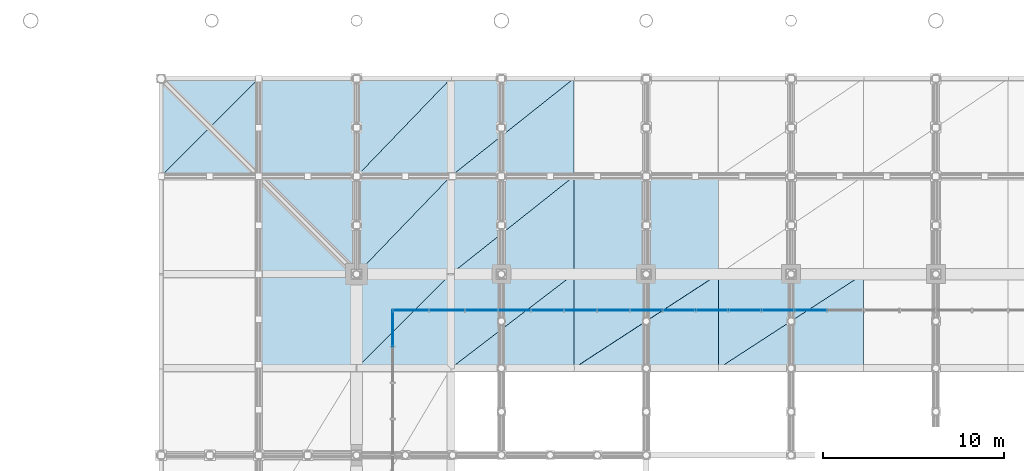
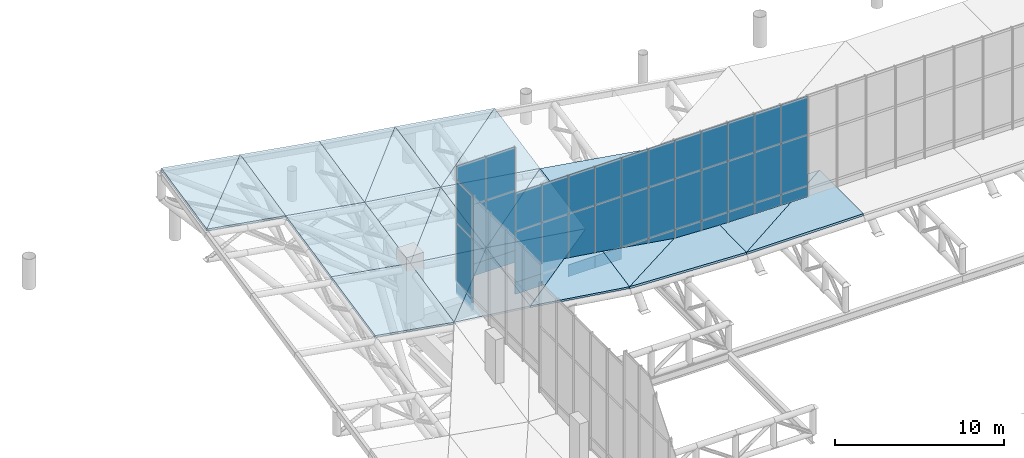
# One storey, part 106 of 137: 42 plates, 22 slabs, 5 elements without a shape of their own.
"""IFC4 building model written with IfcOpenShell, lengths in metres."""

from ifc_helpers import new_model, si_unit, direction, frame, origin, origin_2d, place, context, subcontext, project, spatial, polyline, rectangle, outline, extrude, material, layer, layer_set, type_object, element, aggregate, save


model = new_model("IFC4")

# Units and contexts
model_context = context("Model", 3, precision=1e-05, world=origin(), true_north=direction((0.0, 1.0)))
body_context = subcontext(model_context, "Body", "Model", "MODEL_VIEW")
ifc_project = project(units=[si_unit("LENGTHUNIT", "METRE"), si_unit("AREAUNIT", "SQUARE_METRE"), si_unit("VOLUMEUNIT", "CUBIC_METRE"), si_unit("PLANEANGLEUNIT", "RADIAN"), si_unit("MASSUNIT", "GRAM", prefix="KILO")], contexts=[model_context])

# Site, building, storey
site_placement = place(None, origin())
site = spatial("IfcSite", under=ifc_project, at=site_placement, CompositionType="ELEMENT")
building_placement = place(site_placement, origin())
building = spatial("IfcBuilding", under=site, at=building_placement, Name="Khorjan Park Terminus", CompositionType="ELEMENT")
storey_placement = place(building_placement, frame((0.0, 0.0, 11.4)))
storey = spatial("IfcBuildingStorey", under=building, at=storey_placement, Name="L02", CompositionType="ELEMENT", Elevation=11.4)

# Curtain wall, plates
ifc_material_1 = material(Name="Anodized Bronze Aluminium", Category="aluminium")
ifc_layer_1 = layer(ifc_material_1, 0.22)
ifc_layer_set_1 = layer_set([ifc_layer_1], Name="Anodized Bronze Aluminium")
curtain_wall_type = type_object("IfcCurtainWallType", Name="CW-CONC-CLR", PredefinedType="NOTDEFINED", material=ifc_layer_set_1)
curtain_wall_1_placement = place(storey_placement, origin())
curtain_wall_1 = element("IfcCurtainWall", 1, at=curtain_wall_1_placement, inside=storey, type_object=curtain_wall_type, Name="Unitized curtain wall CW-CL (CW-V2-N-CLR-01)", PredefinedType="NOTDEFINED")
ifc_material_2 = material(Name="Acoustic Laminated Solar Glazing", Category="glass")
ifc_layer_2 = layer(ifc_material_2, 0.036)
ifc_layer_set_2 = layer_set([ifc_layer_2], Name="Acoustic Laminated Solar Glazing")
plate_type_1 = type_object("IfcPlateType", Name="GL-VIS-36", PredefinedType="CURTAIN_PANEL", material=ifc_layer_set_2)
plate_1_placement = place(storey_placement, frame((53.0, 86.0, 3.8909), z_axis=(0.0, 0.0, 1.0), x_axis=(-1.0, 0.0, 0.0)))
plate_1 = element("IfcPlate", 2, at=plate_1_placement, type_object=plate_type_1, Name="Curtain-wall panel VP-36 (CW-V2-N-CLR-01-0-2)", PredefinedType="CURTAIN_PANEL", context=body_context, shape_type="SweptSolid", body=[
    extrude(rectangle(XDim=2.0, YDim=0.036, at=origin_2d()), origin(), (0.0, 0.0, 1.0), 4.3153),
])
plate_2_placement = place(storey_placement, frame((53.0, 86.0, 8.2062), z_axis=(0.0, 0.0, 1.0), x_axis=(-1.0, 0.0, 0.0)))
plate_2 = element("IfcPlate", 3, at=plate_2_placement, type_object=plate_type_1, Name="Curtain-wall panel VP-36 (CW-V2-N-CLR-01-0-3)", PredefinedType="CURTAIN_PANEL", context=body_context, shape_type="SweptSolid", body=[
    extrude(rectangle(XDim=2.0, YDim=0.036, at=origin_2d()), origin(), (0.0, 0.0, 1.0), 3.1758),
])
plate_3_placement = place(storey_placement, frame((51.0, 86.0, 3.8909), z_axis=(0.0, 0.0, 1.0), x_axis=(-1.0, 0.0, 0.0)))
plate_3 = element("IfcPlate", 4, at=plate_3_placement, type_object=plate_type_1, Name="Curtain-wall panel VP-36 (CW-V2-N-CLR-01-1-2)", PredefinedType="CURTAIN_PANEL", context=body_context, shape_type="SweptSolid", body=[
    extrude(rectangle(XDim=2.0, YDim=0.036, at=origin_2d()), origin(), (0.0, 0.0, 1.0), 4.3153),
])
plate_4_placement = place(storey_placement, frame((51.0, 86.0, 8.2062), z_axis=(0.0, 0.0, 1.0), x_axis=(-1.0, 0.0, 0.0)))
plate_4 = element("IfcPlate", 5, at=plate_4_placement, type_object=plate_type_1, Name="Curtain-wall panel VP-36 (CW-V2-N-CLR-01-1-3)", PredefinedType="CURTAIN_PANEL", context=body_context, shape_type="SweptSolid", body=[
    extrude(rectangle(XDim=2.0, YDim=0.036, at=origin_2d()), origin(), (0.0, 0.0, 1.0), 3.1758),
])

curtain_wall_2_placement = place(storey_placement, origin())
curtain_wall_2 = element("IfcCurtainWall", 6, at=curtain_wall_2_placement, inside=storey, type_object=curtain_wall_type, Name="Unitized curtain wall CW-CL (CW-V2-N-CLR-02)", PredefinedType="NOTDEFINED")
plate_5_placement = place(storey_placement, frame((73.0909, 86.0, 1.5663), z_axis=(0.0, 0.0, 1.0), x_axis=(-1.0, 0.0, 0.0)))
plate_5 = element("IfcPlate", 7, at=plate_5_placement, type_object=plate_type_1, Name="Curtain-wall panel VP-36 (CW-V2-N-CLR-02-0-2)", PredefinedType="CURTAIN_PANEL", context=body_context, shape_type="SweptSolid", body=[
    extrude(rectangle(XDim=1.8182, YDim=0.036, at=origin_2d()), origin(), (0.0, 0.0, 1.0), 3.6834),
])
plate_6_placement = place(storey_placement, frame((73.0909, 86.0, 5.2497), z_axis=(0.0, 0.0, 1.0), x_axis=(-1.0, 0.0, 0.0)))
plate_6 = element("IfcPlate", 8, at=plate_6_placement, type_object=plate_type_1, Name="Curtain-wall panel VP-36 (CW-V2-N-CLR-02-0-3)", PredefinedType="CURTAIN_PANEL", context=body_context, shape_type="SweptSolid", body=[
    extrude(rectangle(XDim=1.8182, YDim=0.036, at=origin_2d()), origin(), (0.0, 0.0, 1.0), 2.7886),
])
plate_7_placement = place(storey_placement, frame((71.2727, 86.0, 1.5663), z_axis=(0.0, 0.0, 1.0), x_axis=(-1.0, 0.0, 0.0)))
plate_7 = element("IfcPlate", 9, at=plate_7_placement, type_object=plate_type_1, Name="Curtain-wall panel VP-36 (CW-V2-N-CLR-02-1-2)", PredefinedType="CURTAIN_PANEL", context=body_context, shape_type="SweptSolid", body=[
    extrude(rectangle(XDim=1.8182, YDim=0.036, at=origin_2d()), origin(), (0.0, 0.0, 1.0), 3.6834),
])
plate_8_placement = place(storey_placement, frame((71.2727, 86.0, 5.2497), z_axis=(0.0, 0.0, 1.0), x_axis=(-1.0, 0.0, 0.0)))
plate_8 = element("IfcPlate", 10, at=plate_8_placement, type_object=plate_type_1, Name="Curtain-wall panel VP-36 (CW-V2-N-CLR-02-1-3)", PredefinedType="CURTAIN_PANEL", context=body_context, shape_type="SweptSolid", body=[
    extrude(rectangle(XDim=1.8182, YDim=0.036, at=origin_2d()), origin(), (0.0, 0.0, 1.0), 2.7886),
])
plate_9_placement = place(storey_placement, frame((69.4546, 86.0, 1.5663), z_axis=(0.0, 0.0, 1.0), x_axis=(-1.0, 0.0, 0.0)))
plate_9 = element("IfcPlate", 11, at=plate_9_placement, type_object=plate_type_1, Name="Curtain-wall panel VP-36 (CW-V2-N-CLR-02-2-2)", PredefinedType="CURTAIN_PANEL", context=body_context, shape_type="SweptSolid", body=[
    extrude(rectangle(XDim=1.8182, YDim=0.036, at=origin_2d()), origin(), (0.0, 0.0, 1.0), 3.6834),
])
plate_10_placement = place(storey_placement, frame((69.4546, 86.0, 5.2497), z_axis=(0.0, 0.0, 1.0), x_axis=(-1.0, 0.0, 0.0)))
plate_10 = element("IfcPlate", 12, at=plate_10_placement, type_object=plate_type_1, Name="Curtain-wall panel VP-36 (CW-V2-N-CLR-02-2-3)", PredefinedType="CURTAIN_PANEL", context=body_context, shape_type="SweptSolid", body=[
    extrude(rectangle(XDim=1.8182, YDim=0.036, at=origin_2d()), origin(), (0.0, 0.0, 1.0), 2.7886),
])
plate_11_placement = place(storey_placement, frame((67.6364, 86.0, 1.5663), z_axis=(0.0, 0.0, 1.0), x_axis=(-1.0, 0.0, 0.0)))
plate_11 = element("IfcPlate", 13, at=plate_11_placement, type_object=plate_type_1, Name="Curtain-wall panel VP-36 (CW-V2-N-CLR-02-3-2)", PredefinedType="CURTAIN_PANEL", context=body_context, shape_type="SweptSolid", body=[
    extrude(rectangle(XDim=1.8182, YDim=0.036, at=origin_2d()), origin(), (0.0, 0.0, 1.0), 3.6834),
])
plate_12_placement = place(storey_placement, frame((67.6364, 86.0, 5.2497), z_axis=(0.0, 0.0, 1.0), x_axis=(-1.0, 0.0, 0.0)))
plate_12 = element("IfcPlate", 14, at=plate_12_placement, type_object=plate_type_1, Name="Curtain-wall panel VP-36 (CW-V2-N-CLR-02-3-3)", PredefinedType="CURTAIN_PANEL", context=body_context, shape_type="SweptSolid", body=[
    extrude(rectangle(XDim=1.8182, YDim=0.036, at=origin_2d()), origin(), (0.0, 0.0, 1.0), 2.7886),
])
plate_13_placement = place(storey_placement, frame((65.8182, 86.0, 1.5663), z_axis=(0.0, 0.0, 1.0), x_axis=(-1.0, 0.0, 0.0)))
plate_13 = element("IfcPlate", 15, at=plate_13_placement, type_object=plate_type_1, Name="Curtain-wall panel VP-36 (CW-V2-N-CLR-02-4-2)", PredefinedType="CURTAIN_PANEL", context=body_context, shape_type="SweptSolid", body=[
    extrude(rectangle(XDim=1.8182, YDim=0.036, at=origin_2d()), origin(), (0.0, 0.0, 1.0), 3.6834),
])
plate_14_placement = place(storey_placement, frame((65.8182, 86.0, 5.2497), z_axis=(0.0, 0.0, 1.0), x_axis=(-1.0, 0.0, 0.0)))
plate_14 = element("IfcPlate", 16, at=plate_14_placement, type_object=plate_type_1, Name="Curtain-wall panel VP-36 (CW-V2-N-CLR-02-4-3)", PredefinedType="CURTAIN_PANEL", context=body_context, shape_type="SweptSolid", body=[
    extrude(rectangle(XDim=1.8182, YDim=0.036, at=origin_2d()), origin(), (0.0, 0.0, 1.0), 2.7886),
])
plate_15_placement = place(storey_placement, frame((64.0, 86.0, 1.5663), z_axis=(0.0, 0.0, 1.0), x_axis=(-1.0, 0.0, 0.0)))
plate_15 = element("IfcPlate", 17, at=plate_15_placement, type_object=plate_type_1, Name="Curtain-wall panel VP-36 (CW-V2-N-CLR-02-5-2)", PredefinedType="CURTAIN_PANEL", context=body_context, shape_type="SweptSolid", body=[
    extrude(rectangle(XDim=1.8182, YDim=0.036, at=origin_2d()), origin(), (0.0, 0.0, 1.0), 3.6834),
])
plate_16_placement = place(storey_placement, frame((64.0, 86.0, 5.2497), z_axis=(0.0, 0.0, 1.0), x_axis=(-1.0, 0.0, 0.0)))
plate_16 = element("IfcPlate", 18, at=plate_16_placement, type_object=plate_type_1, Name="Curtain-wall panel VP-36 (CW-V2-N-CLR-02-5-3)", PredefinedType="CURTAIN_PANEL", context=body_context, shape_type="SweptSolid", body=[
    extrude(rectangle(XDim=1.8182, YDim=0.036, at=origin_2d()), origin(), (0.0, 0.0, 1.0), 2.7886),
])
plate_17_placement = place(storey_placement, frame((62.1818, 86.0, 1.5663), z_axis=(0.0, 0.0, 1.0), x_axis=(-1.0, 0.0, 0.0)))
plate_17 = element("IfcPlate", 19, at=plate_17_placement, type_object=plate_type_1, Name="Curtain-wall panel VP-36 (CW-V2-N-CLR-02-6-2)", PredefinedType="CURTAIN_PANEL", context=body_context, shape_type="SweptSolid", body=[
    extrude(rectangle(XDim=1.8182, YDim=0.036, at=origin_2d()), origin(), (0.0, 0.0, 1.0), 3.6834),
])
plate_18_placement = place(storey_placement, frame((62.1818, 86.0, 5.2497), z_axis=(0.0, 0.0, 1.0), x_axis=(-1.0, 0.0, 0.0)))
plate_18 = element("IfcPlate", 20, at=plate_18_placement, type_object=plate_type_1, Name="Curtain-wall panel VP-36 (CW-V2-N-CLR-02-6-3)", PredefinedType="CURTAIN_PANEL", context=body_context, shape_type="SweptSolid", body=[
    extrude(rectangle(XDim=1.8182, YDim=0.036, at=origin_2d()), origin(), (0.0, 0.0, 1.0), 2.7886),
])
plate_19_placement = place(storey_placement, frame((60.3636, 86.0, 1.5663), z_axis=(0.0, 0.0, 1.0), x_axis=(-1.0, 0.0, 0.0)))
plate_19 = element("IfcPlate", 21, at=plate_19_placement, type_object=plate_type_1, Name="Curtain-wall panel VP-36 (CW-V2-N-CLR-02-7-2)", PredefinedType="CURTAIN_PANEL", context=body_context, shape_type="SweptSolid", body=[
    extrude(rectangle(XDim=1.8182, YDim=0.036, at=origin_2d()), origin(), (0.0, 0.0, 1.0), 3.6834),
])
plate_20_placement = place(storey_placement, frame((60.3636, 86.0, 5.2497), z_axis=(0.0, 0.0, 1.0), x_axis=(-1.0, 0.0, 0.0)))
plate_20 = element("IfcPlate", 22, at=plate_20_placement, type_object=plate_type_1, Name="Curtain-wall panel VP-36 (CW-V2-N-CLR-02-7-3)", PredefinedType="CURTAIN_PANEL", context=body_context, shape_type="SweptSolid", body=[
    extrude(rectangle(XDim=1.8182, YDim=0.036, at=origin_2d()), origin(), (0.0, 0.0, 1.0), 2.7886),
])
plate_21_placement = place(storey_placement, frame((58.5455, 86.0, 1.5663), z_axis=(0.0, 0.0, 1.0), x_axis=(-1.0, 0.0, 0.0)))
plate_21 = element("IfcPlate", 23, at=plate_21_placement, type_object=plate_type_1, Name="Curtain-wall panel VP-36 (CW-V2-N-CLR-02-8-2)", PredefinedType="CURTAIN_PANEL", context=body_context, shape_type="SweptSolid", body=[
    extrude(rectangle(XDim=1.8182, YDim=0.036, at=origin_2d()), origin(), (0.0, 0.0, 1.0), 3.6834),
])
plate_22_placement = place(storey_placement, frame((58.5455, 86.0, 5.2497), z_axis=(0.0, 0.0, 1.0), x_axis=(-1.0, 0.0, 0.0)))
plate_22 = element("IfcPlate", 24, at=plate_22_placement, type_object=plate_type_1, Name="Curtain-wall panel VP-36 (CW-V2-N-CLR-02-8-3)", PredefinedType="CURTAIN_PANEL", context=body_context, shape_type="SweptSolid", body=[
    extrude(rectangle(XDim=1.8182, YDim=0.036, at=origin_2d()), origin(), (0.0, 0.0, 1.0), 2.7886),
])
plate_23_placement = place(storey_placement, frame((56.7273, 86.0, 1.5663), z_axis=(0.0, 0.0, 1.0), x_axis=(-1.0, 0.0, 0.0)))
plate_23 = element("IfcPlate", 25, at=plate_23_placement, type_object=plate_type_1, Name="Curtain-wall panel VP-36 (CW-V2-N-CLR-02-9-2)", PredefinedType="CURTAIN_PANEL", context=body_context, shape_type="SweptSolid", body=[
    extrude(rectangle(XDim=1.8182, YDim=0.036, at=origin_2d()), origin(), (0.0, 0.0, 1.0), 3.6834),
])
plate_24_placement = place(storey_placement, frame((56.7273, 86.0, 5.2497), z_axis=(0.0, 0.0, 1.0), x_axis=(-1.0, 0.0, 0.0)))
plate_24 = element("IfcPlate", 26, at=plate_24_placement, type_object=plate_type_1, Name="Curtain-wall panel VP-36 (CW-V2-N-CLR-02-9-3)", PredefinedType="CURTAIN_PANEL", context=body_context, shape_type="SweptSolid", body=[
    extrude(rectangle(XDim=1.8182, YDim=0.036, at=origin_2d()), origin(), (0.0, 0.0, 1.0), 2.7886),
])
plate_25_placement = place(storey_placement, frame((54.9091, 86.0, 1.5663), z_axis=(0.0, 0.0, 1.0), x_axis=(-1.0, 0.0, 0.0)))
plate_25 = element("IfcPlate", 27, at=plate_25_placement, type_object=plate_type_1, Name="Curtain-wall panel VP-36 (CW-V2-N-CLR-02-10-2)", PredefinedType="CURTAIN_PANEL", context=body_context, shape_type="SweptSolid", body=[
    extrude(rectangle(XDim=1.8182, YDim=0.036, at=origin_2d()), origin(), (0.0, 0.0, 1.0), 3.6834),
])
plate_26_placement = place(storey_placement, frame((54.9091, 86.0, 5.2497), z_axis=(0.0, 0.0, 1.0), x_axis=(-1.0, 0.0, 0.0)))
plate_26 = element("IfcPlate", 28, at=plate_26_placement, type_object=plate_type_1, Name="Curtain-wall panel VP-36 (CW-V2-N-CLR-02-10-3)", PredefinedType="CURTAIN_PANEL", context=body_context, shape_type="SweptSolid", body=[
    extrude(rectangle(XDim=1.8182, YDim=0.036, at=origin_2d()), origin(), (0.0, 0.0, 1.0), 2.7886),
])

curtain_wall_3_placement = place(storey_placement, origin())
curtain_wall_3 = element("IfcCurtainWall", 29, at=curtain_wall_3_placement, inside=storey, type_object=curtain_wall_type, Name="Unitized curtain wall CW-CL (CW-V2-W-CLR-05)", PredefinedType="NOTDEFINED")
plate_27_placement = place(storey_placement, frame((50.0, 85.0, 3.0442), z_axis=(0.0, 0.0, 1.0), x_axis=(0.0, -1.0, 0.0)))
plate_27 = element("IfcPlate", 30, at=plate_27_placement, type_object=plate_type_1, Name="Curtain-wall panel VP-36 (CW-V2-W-CLR-05-0-2)", PredefinedType="CURTAIN_PANEL", context=body_context, shape_type="SweptSolid", body=[
    extrude(rectangle(XDim=2.0, YDim=0.036, at=origin_2d()), origin(), (0.0, 0.0, 1.0), 4.2517),
])
plate_28_placement = place(storey_placement, frame((50.0, 85.0, 7.2959), z_axis=(0.0, 0.0, 1.0), x_axis=(0.0, -1.0, 0.0)))
plate_28 = element("IfcPlate", 31, at=plate_28_placement, type_object=plate_type_1, Name="Curtain-wall panel VP-36 (CW-V2-W-CLR-05-0-3)", PredefinedType="CURTAIN_PANEL", context=body_context, shape_type="SweptSolid", body=[
    extrude(rectangle(XDim=2.0, YDim=0.036, at=origin_2d()), origin(), (0.0, 0.0, 1.0), 3.1369),
])

# Roof, slabs
ifc_material_3 = material(Name="Concrete C50/60", Category="concrete")
ifc_layer_3 = layer(ifc_material_3, 0.16)
ifc_layer_set_3 = layer_set([ifc_layer_3], Name="Concrete C50/60")
roof_type = type_object("IfcRoofType", Name="RF-SHELL-LOWER", PredefinedType="FREEFORM", material=ifc_layer_set_3)
roof_1_placement = place(storey_placement, origin())
roof_1 = element("IfcRoof", 32, at=roof_1_placement, inside=storey, type_object=roof_type, Name="Lower 4-sided wrapping folded concrete shell roof RF-CS2 (1)", PredefinedType="FREEFORM")
ifc_layer_4 = layer(ifc_material_3, 0.16)
ifc_layer_set_4 = layer_set([ifc_layer_4], Name="Concrete C50/60")
slab_type = type_object("IfcSlabType", Name="SL-SHL-160", PredefinedType="ROOF", material=ifc_layer_set_4)
slab_1_placement = place(storey_placement, frame((37.2, 93.4, 6.8136), z_axis=(0.163693984756, -0.204849797735, 0.965008207075), x_axis=(0.985916115378, 0.0, -0.167240585497)))
slab_1 = element("IfcSlab", 33, at=slab_1_placement, type_object=slab_type, Name="Lower 4-sided wrapping folded concrete shell facet RS-16 (17)", PredefinedType="ROOF", context=body_context, shape_type="SweptSolid", body=[
    extrude(outline(polyline([(0.0, 0.0), (5.477139399358026, 2.7755575615628914e-17), (5.285431516202254, 5.516996626565567), (0.0, 0.0)])), origin(), (0.0, 0.0, -1.0), 0.16),
])
slab_2_placement = place(storey_placement, frame((37.2, 93.4, 6.8136), z_axis=(0.163710777019, -0.204866318933, 0.965001851218), x_axis=(0.706785467467, 0.706785467467, 0.030143091325)))
slab_2 = element("IfcSlab", 34, at=slab_2_placement, type_object=slab_type, Name="Lower 4-sided wrapping folded concrete shell facet RS-16 (18)", PredefinedType="ROOF", context=body_context, shape_type="SweptSolid", body=[
    extrude(outline(polyline([(0.0, 0.0), (7.640225002576816, -8.465450562766819e-16), (3.8511975642178196, 3.955061349886073), (0.0, 0.0)])), origin(), (0.0, 0.0, -1.0), 0.16),
])
slab_3_placement = place(storey_placement, frame((42.6, 82.8, 3.6473), z_axis=(0.163711030587, -0.204859075678, 0.965003345889), x_axis=(0.985913104802, 0.0, -0.167258332465)))
slab_3 = element("IfcSlab", 35, at=slab_3_placement, type_object=slab_type, Name="Lower 4-sided wrapping folded concrete shell facet RS-16 (32)", PredefinedType="ROOF", context=body_context, shape_type="SweptSolid", body=[
    extrude(outline(polyline([(0.0, 0.0), (5.477156124303924, 5.551115123125783e-17), (5.2925196510961205, 5.312673957882359), (-0.18463647320780371, 5.31267395788236), (0.0, 0.0)])), origin(), (0.0, 0.0, -1.0), 0.16),
])
slab_4_placement = place(storey_placement, frame((42.6, 88.0, 4.7512), z_axis=(0.163710777019, -0.204866318933, 0.965001851218), x_axis=(0.985913104802, 0.0, -0.167258332465)))
slab_4 = element("IfcSlab", 36, at=slab_4_placement, type_object=slab_type, Name="Lower 4-sided wrapping folded concrete shell facet RS-16 (33)", PredefinedType="ROOF", context=body_context, shape_type="SweptSolid", body=[
    extrude(outline(polyline([(0.0, 0.0), (5.477156124303924, 5.551115123125783e-17), (5.28541117196637, 5.517016116820135), (-0.19174495233755437, 5.517016116820135), (0.0, 0.0)])), origin(), (0.0, 0.0, -1.0), 0.16),
])
slab_5_placement = place(storey_placement, frame((42.6, 93.4, 5.8976), z_axis=(0.163702380927, -0.204858058376, 0.965005029208), x_axis=(0.985914546954, -1.804669e-06, -0.167249831392)))
slab_5 = element("IfcSlab", 37, at=slab_5_placement, type_object=slab_type, Name="Lower 4-sided wrapping folded concrete shell facet RS-16 (34)", PredefinedType="ROOF", context=body_context, shape_type="SweptSolid", body=[
    extrude(outline(polyline([(0.0, 0.0), (5.4771561240913975, 0.0), (5.2854111721714565, 5.517016116623644), (-0.1917282269368014, 5.516995919399206), (0.0, 0.0)])), origin(), (0.0, 0.0, -1.0), 0.16),
])
slab_6_placement = place(storey_placement, frame((48.0, 82.8, 2.7312), z_axis=(0.120774798087, -0.198491893651, 0.97263272426), x_axis=(0.992378547218, 0.0, -0.123226697681)))
slab_6 = element("IfcSlab", 38, at=slab_6_placement, type_object=slab_type, Name="Lower 4-sided wrapping folded concrete shell facet RS-16 (51)", PredefinedType="ROOF", context=body_context, shape_type="SweptSolid", body=[
    extrude(outline(polyline([(0.0, 0.0), (5.2399359242265575, -2.7755575615628914e-17), (5.109167752647982, 5.305567370725022), (0.0, 0.0)])), origin(), (0.0, 0.0, -1.0), 0.16),
])
slab_7_placement = place(storey_placement, frame((48.0, 82.8, 2.7312), z_axis=(0.128426377093, -0.205941135492, 0.970100466127), x_axis=(0.705980823434, 0.705980823434, 0.056410583103)))
slab_7 = element("IfcSlab", 39, at=slab_7_placement, type_object=slab_type, Name="Lower 4-sided wrapping folded concrete shell facet RS-16 (52)", PredefinedType="ROOF", context=body_context, shape_type="SweptSolid", body=[
    extrude(outline(polyline([(0.0, 0.0), (7.36563916099615, 0.0), (3.7333719245460615, 3.784247518729618), (0.0, 0.0)])), origin(), (0.0, 0.0, -1.0), 0.16),
])
slab_8_placement = place(storey_placement, frame((48.0, 88.0, 3.8351), z_axis=(0.128633560246, -0.198291732205, 0.971665475417), x_axis=(0.991350681142, 0.0, -0.131239578634)))
slab_8 = element("IfcSlab", 40, at=slab_8_placement, type_object=slab_type, Name="Lower 4-sided wrapping folded concrete shell facet RS-16 (53)", PredefinedType="ROOF", context=body_context, shape_type="SweptSolid", body=[
    extrude(outline(polyline([(0.0, 0.0), (5.245368867868115, 2.7755575615628914e-17), (5.100742852213219, 5.509399905216162), (0.0, 0.0)])), origin(), (0.0, 0.0, -1.0), 0.16),
])
slab_9_placement = place(storey_placement, frame((48.0, 88.0, 3.8351), z_axis=(0.136559457801, -0.205722637827, 0.969035453825), x_axis=(0.692588416697, 0.719226432724, 0.055087417143)))
slab_9 = element("IfcSlab", 41, at=slab_9_placement, type_object=slab_type, Name="Lower 4-sided wrapping folded concrete shell facet RS-16 (54)", PredefinedType="ROOF", context=body_context, shape_type="SweptSolid", body=[
    extrude(outline(polyline([(0.0, 0.0), (7.508066659267224, 1.3877787807814457e-17), (3.9469749517237656, 3.8594846405271834), (0.0, 0.0)])), origin(), (0.0, 0.0, -1.0), 0.16),
])
slab_10_placement = place(storey_placement, frame((48.0, 93.4, 4.9815), z_axis=(0.136779491301, -0.198073648753, 0.970596826921), x_axis=(0.990215834494, 0.0, -0.139544262215)))
slab_10 = element("IfcSlab", 42, at=slab_10_placement, type_object=slab_type, Name="Lower 4-sided wrapping folded concrete shell facet RS-16 (55)", PredefinedType="ROOF", context=body_context, shape_type="SweptSolid", body=[
    extrude(outline(polyline([(0.0, 0.0), (5.251380374720539, 0.0), (5.097602597759758, 5.509152057741091), (0.0, 0.0)])), origin(), (0.0, 0.0, -1.0), 0.16),
])
slab_11_placement = place(storey_placement, frame((48.0, 93.4, 4.9815), z_axis=(0.144665218122, -0.205483566718, 0.967909333809), x_axis=(0.69280202772, 0.719448259556, 0.049188943968)))
slab_11 = element("IfcSlab", 43, at=slab_11_placement, type_object=slab_type, Name="Lower 4-sided wrapping folded concrete shell facet RS-16 (56)", PredefinedType="ROOF", context=body_context, shape_type="SweptSolid", body=[
    extrude(outline(polyline([(0.0, 0.0), (7.505751703860177, -2.3592239273284576e-16), (3.941410806966259, 3.865166724829538), (0.0, 0.0)])), origin(), (0.0, 0.0, -1.0), 0.16),
])
slab_12_placement = place(storey_placement, frame((53.2, 82.8, 2.0855), z_axis=(0.141103373519, -0.194674451587, 0.97066559426), x_axis=(0.989598684842, 0.0, -0.143855632348)))
slab_12 = element("IfcSlab", 44, at=slab_12_placement, type_object=slab_type, Name="Lower 4-sided wrapping folded concrete shell facet RS-16 (63)", PredefinedType="ROOF", context=body_context, shape_type="SweptSolid", body=[
    extrude(outline(polyline([(0.0, 0.0), (6.871472349504142, 2.7755575615628914e-17), (6.721445310528369, 5.301427383033384), (0.0, 0.0)])), origin(), (0.0, 0.0, -1.0), 0.16),
])
slab_13_placement = place(storey_placement, frame((53.2, 82.8, 2.0855), z_axis=(0.143565966375, -0.197884192093, 0.969654917906), x_axis=(0.794341793679, 0.607437842225, 0.006354734349)))
slab_13 = element("IfcSlab", 45, at=slab_13_placement, type_object=slab_type, Name="Lower 4-sided wrapping folded concrete shell facet RS-16 (64)", PredefinedType="ROOF", context=body_context, shape_type="SweptSolid", body=[
    extrude(outline(polyline([(0.0, 0.0), (8.560546674132441, -4.423544863740858e-16), (3.1654204236607613, 4.259842600551264), (0.0, 0.0)])), origin(), (0.0, 0.0, -1.0), 0.16),
])
slab_14_placement = place(storey_placement, frame((53.2, 88.0, 3.1467), z_axis=(0.143662230538, -0.19460007699, 0.970305093026), x_axis=(0.989216268008, 0.0, -0.146462196857)))
slab_14 = element("IfcSlab", 46, at=slab_14_placement, type_object=slab_type, Name="Lower 4-sided wrapping folded concrete shell facet RS-16 (65)", PredefinedType="ROOF", context=body_context, shape_type="SweptSolid", body=[
    extrude(outline(polyline([(0.0, 0.0), (6.874128762250527, -2.7755575615628914e-17), (6.71551020305394, 5.505245603302225), (0.0, 0.0)])), origin(), (0.0, 0.0, -1.0), 0.16),
])
slab_15_placement = place(storey_placement, frame((53.2, 88.0, 3.1467), z_axis=(0.146217976754, -0.19780388759, 0.969274948262), x_axis=(0.783080696149, 0.621858199883, 0.008775110154)))
slab_15 = element("IfcSlab", 47, at=slab_15_placement, type_object=slab_type, Name="Lower 4-sided wrapping folded concrete shell facet RS-16 (66)", PredefinedType="ROOF", context=body_context, shape_type="SweptSolid", body=[
    extrude(outline(polyline([(0.0, 0.0), (8.683651676570173, 7.320533068622126e-16), (3.3677044507559857, 4.3626793066140435), (0.0, 0.0)])), origin(), (0.0, 0.0, -1.0), 0.16),
])
slab_16_placement = place(storey_placement, frame((53.2, 93.4, 4.2487), z_axis=(0.146315862219, -0.194523612236, 0.969923828321), x_axis=(0.98881228291, 0.0, -0.149165241148)))
slab_16 = element("IfcSlab", 48, at=slab_16_placement, type_object=slab_type, Name="Lower 4-sided wrapping folded concrete shell facet RS-16 (67)", PredefinedType="ROOF", context=body_context, shape_type="SweptSolid", body=[
    extrude(outline(polyline([(0.0, 0.0), (6.876937228156148, 2.7755575615628914e-17), (6.715391271992481, 5.505160479409032), (0.0, 0.0)])), origin(), (0.0, 0.0, -1.0), 0.16),
])
slab_17_placement = place(storey_placement, frame((53.2, 93.4, 4.2487), z_axis=(0.148866760064, -0.197724879688, 0.968887795207), x_axis=(0.783093857246, 0.621868651343, 0.00658720127)))
slab_17 = element("IfcSlab", 49, at=slab_17_placement, type_object=slab_type, Name="Lower 4-sided wrapping folded concrete shell facet RS-16 (68)", PredefinedType="ROOF", context=body_context, shape_type="SweptSolid", body=[
    extrude(outline(polyline([(0.0, 0.0), (8.683505734436977, 3.122502256758253e-17), (3.365349813049289, 4.364495920012874), (0.0, 0.0)])), origin(), (0.0, 0.0, -1.0), 0.16),
])
aggregate(roof_1, [slab_1, slab_2, slab_3, slab_4, slab_5, slab_6, slab_7, slab_8, slab_9, slab_10, slab_11, slab_12, slab_13, slab_14, slab_15, slab_16, slab_17])

roof_2_placement = place(storey_placement, origin())
roof_2 = element("IfcRoof", 50, at=roof_2_placement, inside=storey, type_object=roof_type, Name="Lower 4-sided wrapping folded concrete shell roof RF-CS2 (2)", PredefinedType="FREEFORM")
slab_18_placement = place(storey_placement, frame((60.0, 82.8, 1.097), z_axis=(0.039589515723, -0.014928926822, 0.999104497732), x_axis=(0.999215852983, 0.0, -0.039593928174)))
slab_18 = element("IfcSlab", 51, at=slab_18_placement, type_object=slab_type, Name="Lower 4-sided wrapping folded concrete shell facet RS-16 (73)", PredefinedType="ROOF", context=body_context, shape_type="SweptSolid", body=[
    extrude(outline(polyline([(0.0, 0.0), (8.006278099091988, 0.0), (8.003201650872835, 5.2005795663047385), (0.0, 0.0)])), origin(), (0.0, 0.0, -1.0), 0.16),
])
slab_19_placement = place(storey_placement, frame((60.0, 82.8, 1.097), z_axis=(0.15524056657, -0.194257930331, 0.968588779098), x_axis=(0.838180048596, 0.544817031587, -0.025072060704)))
slab_19 = element("IfcSlab", 52, at=slab_19_placement, type_object=slab_type, Name="Lower 4-sided wrapping folded concrete shell facet RS-16 (74)", PredefinedType="ROOF", context=body_context, shape_type="SweptSolid", body=[
    extrude(outline(polyline([(0.0, 0.0), (9.544488697148738, 3.469446951953614e-17), (2.806900912146634, 4.499883073968748), (0.0, 0.0)])), origin(), (0.0, 0.0, -1.0), 0.16),
])
slab_20_placement = place(storey_placement, frame((60.0, 88.0, 2.1399), z_axis=(0.155240628983, -0.194255938796, 0.96858916851), x_axis=(0.987398235344, 0.0, -0.15825525217)))
slab_20 = element("IfcSlab", 53, at=slab_20_placement, type_object=slab_type, Name="Lower 4-sided wrapping folded concrete shell facet RS-16 (75)", PredefinedType="ROOF", context=body_context, shape_type="SweptSolid", body=[
    extrude(outline(polyline([(0.0, 0.0), (8.102100767085041, 0.0), (7.930710328985171, 5.504862788274381), (-0.17139043809987023, 5.504862788274382), (0.0, 0.0)])), origin(), (0.0, 0.0, -1.0), 0.16),
])
slab_21_placement = place(storey_placement, frame((68.0, 82.8, 0.78), z_axis=(0.0, 0.0, 1.0), x_axis=(1.0, 0.0, 0.0)))
slab_21 = element("IfcSlab", 54, at=slab_21_placement, type_object=slab_type, Name="Lower 4-sided wrapping folded concrete shell facet RS-16 (83)", PredefinedType="ROOF", context=body_context, shape_type="SweptSolid", body=[
    extrude(outline(polyline([(0.0, 0.0), (8.0, 0.0), (8.0, 5.200000000000003), (0.0, 0.0)])), origin(), (0.0, 0.0, -1.0), 0.16),
])
slab_22_placement = place(storey_placement, frame((68.0, 82.8, 0.78), z_axis=(0.009710957997, -0.01493993538, 0.99984123521), x_axis=(0.838443616301, 0.544988350595, 0.0)))
slab_22 = element("IfcSlab", 55, at=slab_22_placement, type_object=slab_type, Name="Lower 4-sided wrapping folded concrete shell facet RS-16 (84)", PredefinedType="ROOF", context=body_context, shape_type="SweptSolid", body=[
    extrude(outline(polyline([(0.0, 0.0), (9.541488353501252, 0.0), (2.8339394230961563, 4.360599114367367), (0.0, 0.0)])), origin(), (0.0, 0.0, -1.0), 0.16),
])
aggregate(roof_2, [slab_18, slab_19, slab_20, slab_21, slab_22])

# Plate
ifc_material_4 = material(Name="Insulated Anodized Bronze Spandrel Panel")
ifc_layer_5 = layer(ifc_material_4, 0.045)
ifc_layer_set_5 = layer_set([ifc_layer_5], Name="Insulated Anodized Bronze Spandrel Panel")
plate_type_2 = type_object("IfcPlateType", Name="SP-AL-45", PredefinedType="CURTAIN_PANEL", material=ifc_layer_set_5)
plate_29_placement = place(storey_placement, frame((53.0, 86.0, 3.0309), z_axis=(0.0, 0.0, 1.0), x_axis=(-1.0, 0.0, 0.0)))
plate_29 = element("IfcPlate", 56, at=plate_29_placement, type_object=plate_type_2, Name="Curtain-wall panel SP-A45 (CW-V2-N-CLR-01-0-1)", PredefinedType="CURTAIN_PANEL", context=body_context, shape_type="SweptSolid", body=[
    extrude(rectangle(XDim=2.0, YDim=0.045, at=origin_2d()), origin(), (0.0, 0.0, 1.0), 0.86),
])

plate_30_placement = place(storey_placement, frame((51.0, 86.0, 3.0309), z_axis=(0.0, 0.0, 1.0), x_axis=(-1.0, 0.0, 0.0)))
plate_30 = element("IfcPlate", 57, at=plate_30_placement, type_object=plate_type_2, Name="Curtain-wall panel SP-A45 (CW-V2-N-CLR-01-1-1)", PredefinedType="CURTAIN_PANEL", context=body_context, shape_type="SweptSolid", body=[
    extrude(rectangle(XDim=2.0, YDim=0.045, at=origin_2d()), origin(), (0.0, 0.0, 1.0), 0.86),
])

aggregate(curtain_wall_1, [plate_29, plate_1, plate_2, plate_30, plate_3, plate_4])

plate_31_placement = place(storey_placement, frame((73.0909, 86.0, 0.7063), z_axis=(0.0, 0.0, 1.0), x_axis=(-1.0, 0.0, 0.0)))
plate_31 = element("IfcPlate", 58, at=plate_31_placement, type_object=plate_type_2, Name="Curtain-wall panel SP-A45 (CW-V2-N-CLR-02-0-1)", PredefinedType="CURTAIN_PANEL", context=body_context, shape_type="SweptSolid", body=[
    extrude(rectangle(XDim=1.8182, YDim=0.045, at=origin_2d()), origin(), (0.0, 0.0, 1.0), 0.86),
])

plate_32_placement = place(storey_placement, frame((71.2727, 86.0, 0.7063), z_axis=(0.0, 0.0, 1.0), x_axis=(-1.0, 0.0, 0.0)))
plate_32 = element("IfcPlate", 59, at=plate_32_placement, type_object=plate_type_2, Name="Curtain-wall panel SP-A45 (CW-V2-N-CLR-02-1-1)", PredefinedType="CURTAIN_PANEL", context=body_context, shape_type="SweptSolid", body=[
    extrude(rectangle(XDim=1.8182, YDim=0.045, at=origin_2d()), origin(), (0.0, 0.0, 1.0), 0.86),
])

plate_33_placement = place(storey_placement, frame((69.4546, 86.0, 0.7063), z_axis=(0.0, 0.0, 1.0), x_axis=(-1.0, 0.0, 0.0)))
plate_33 = element("IfcPlate", 60, at=plate_33_placement, type_object=plate_type_2, Name="Curtain-wall panel SP-A45 (CW-V2-N-CLR-02-2-1)", PredefinedType="CURTAIN_PANEL", context=body_context, shape_type="SweptSolid", body=[
    extrude(rectangle(XDim=1.8182, YDim=0.045, at=origin_2d()), origin(), (0.0, 0.0, 1.0), 0.86),
])

plate_34_placement = place(storey_placement, frame((67.6364, 86.0, 0.7063), z_axis=(0.0, 0.0, 1.0), x_axis=(-1.0, 0.0, 0.0)))
plate_34 = element("IfcPlate", 61, at=plate_34_placement, type_object=plate_type_2, Name="Curtain-wall panel SP-A45 (CW-V2-N-CLR-02-3-1)", PredefinedType="CURTAIN_PANEL", context=body_context, shape_type="SweptSolid", body=[
    extrude(rectangle(XDim=1.8182, YDim=0.045, at=origin_2d()), origin(), (0.0, 0.0, 1.0), 0.86),
])

plate_35_placement = place(storey_placement, frame((65.8182, 86.0, 0.7063), z_axis=(0.0, 0.0, 1.0), x_axis=(-1.0, 0.0, 0.0)))
plate_35 = element("IfcPlate", 62, at=plate_35_placement, type_object=plate_type_2, Name="Curtain-wall panel SP-A45 (CW-V2-N-CLR-02-4-1)", PredefinedType="CURTAIN_PANEL", context=body_context, shape_type="SweptSolid", body=[
    extrude(rectangle(XDim=1.8182, YDim=0.045, at=origin_2d()), origin(), (0.0, 0.0, 1.0), 0.86),
])

plate_36_placement = place(storey_placement, frame((64.0, 86.0, 0.7063), z_axis=(0.0, 0.0, 1.0), x_axis=(-1.0, 0.0, 0.0)))
plate_36 = element("IfcPlate", 63, at=plate_36_placement, type_object=plate_type_2, Name="Curtain-wall panel SP-A45 (CW-V2-N-CLR-02-5-1)", PredefinedType="CURTAIN_PANEL", context=body_context, shape_type="SweptSolid", body=[
    extrude(rectangle(XDim=1.8182, YDim=0.045, at=origin_2d()), origin(), (0.0, 0.0, 1.0), 0.86),
])

plate_37_placement = place(storey_placement, frame((62.1818, 86.0, 0.7063), z_axis=(0.0, 0.0, 1.0), x_axis=(-1.0, 0.0, 0.0)))
plate_37 = element("IfcPlate", 64, at=plate_37_placement, type_object=plate_type_2, Name="Curtain-wall panel SP-A45 (CW-V2-N-CLR-02-6-1)", PredefinedType="CURTAIN_PANEL", context=body_context, shape_type="SweptSolid", body=[
    extrude(rectangle(XDim=1.8182, YDim=0.045, at=origin_2d()), origin(), (0.0, 0.0, 1.0), 0.86),
])

plate_38_placement = place(storey_placement, frame((60.3636, 86.0, 0.7063), z_axis=(0.0, 0.0, 1.0), x_axis=(-1.0, 0.0, 0.0)))
plate_38 = element("IfcPlate", 65, at=plate_38_placement, type_object=plate_type_2, Name="Curtain-wall panel SP-A45 (CW-V2-N-CLR-02-7-1)", PredefinedType="CURTAIN_PANEL", context=body_context, shape_type="SweptSolid", body=[
    extrude(rectangle(XDim=1.8182, YDim=0.045, at=origin_2d()), origin(), (0.0, 0.0, 1.0), 0.86),
])

plate_39_placement = place(storey_placement, frame((58.5455, 86.0, 0.7063), z_axis=(0.0, 0.0, 1.0), x_axis=(-1.0, 0.0, 0.0)))
plate_39 = element("IfcPlate", 66, at=plate_39_placement, type_object=plate_type_2, Name="Curtain-wall panel SP-A45 (CW-V2-N-CLR-02-8-1)", PredefinedType="CURTAIN_PANEL", context=body_context, shape_type="SweptSolid", body=[
    extrude(rectangle(XDim=1.8182, YDim=0.045, at=origin_2d()), origin(), (0.0, 0.0, 1.0), 0.86),
])

plate_40_placement = place(storey_placement, frame((56.7273, 86.0, 0.7063), z_axis=(0.0, 0.0, 1.0), x_axis=(-1.0, 0.0, 0.0)))
plate_40 = element("IfcPlate", 67, at=plate_40_placement, type_object=plate_type_2, Name="Curtain-wall panel SP-A45 (CW-V2-N-CLR-02-9-1)", PredefinedType="CURTAIN_PANEL", context=body_context, shape_type="SweptSolid", body=[
    extrude(rectangle(XDim=1.8182, YDim=0.045, at=origin_2d()), origin(), (0.0, 0.0, 1.0), 0.86),
])

plate_41_placement = place(storey_placement, frame((54.9091, 86.0, 0.7063), z_axis=(0.0, 0.0, 1.0), x_axis=(-1.0, 0.0, 0.0)))
plate_41 = element("IfcPlate", 68, at=plate_41_placement, type_object=plate_type_2, Name="Curtain-wall panel SP-A45 (CW-V2-N-CLR-02-10-1)", PredefinedType="CURTAIN_PANEL", context=body_context, shape_type="SweptSolid", body=[
    extrude(rectangle(XDim=1.8182, YDim=0.045, at=origin_2d()), origin(), (0.0, 0.0, 1.0), 0.86),
])

aggregate(curtain_wall_2, [plate_31, plate_5, plate_6, plate_32, plate_7, plate_8, plate_33, plate_9, plate_10, plate_34, plate_11, plate_12, plate_35, plate_13, plate_14, plate_36, plate_15, plate_16, plate_37, plate_17, plate_18, plate_38, plate_19, plate_20, plate_39, plate_21, plate_22, plate_40, plate_23, plate_24, plate_41, plate_25, plate_26])

plate_42_placement = place(storey_placement, frame((50.0, 85.0, 2.1842), z_axis=(0.0, 0.0, 1.0), x_axis=(0.0, -1.0, 0.0)))
plate_42 = element("IfcPlate", 69, at=plate_42_placement, type_object=plate_type_2, Name="Curtain-wall panel SP-A45 (CW-V2-W-CLR-05-0-1)", PredefinedType="CURTAIN_PANEL", context=body_context, shape_type="SweptSolid", body=[
    extrude(rectangle(XDim=2.0, YDim=0.045, at=origin_2d()), origin(), (0.0, 0.0, 1.0), 0.86),
])

aggregate(curtain_wall_3, [plate_42, plate_27, plate_28])

save(model, "model.ifc")
